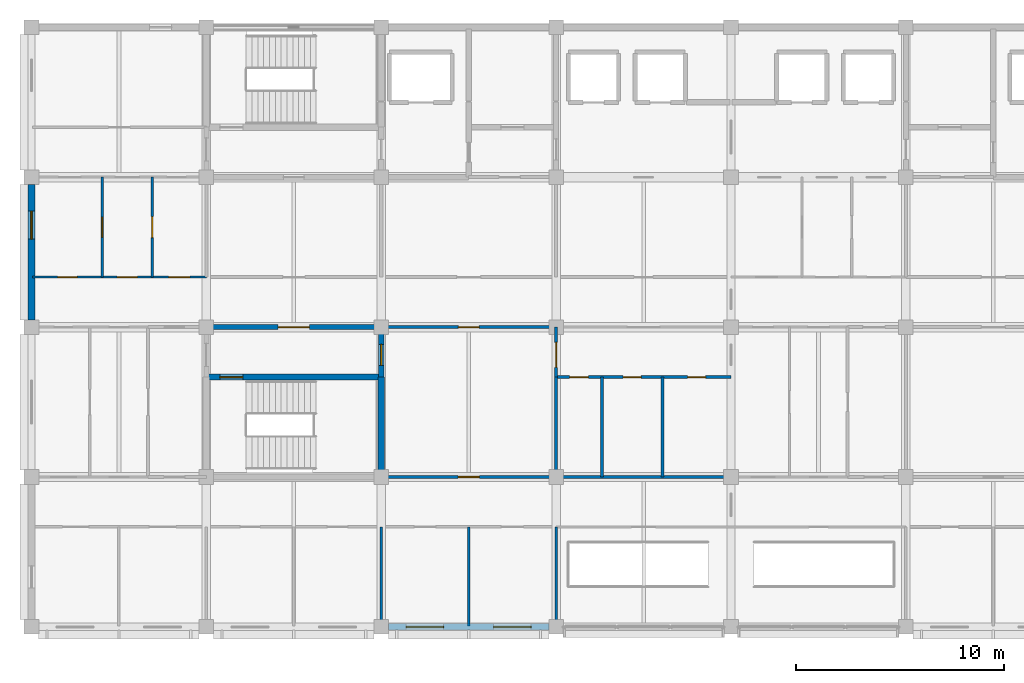
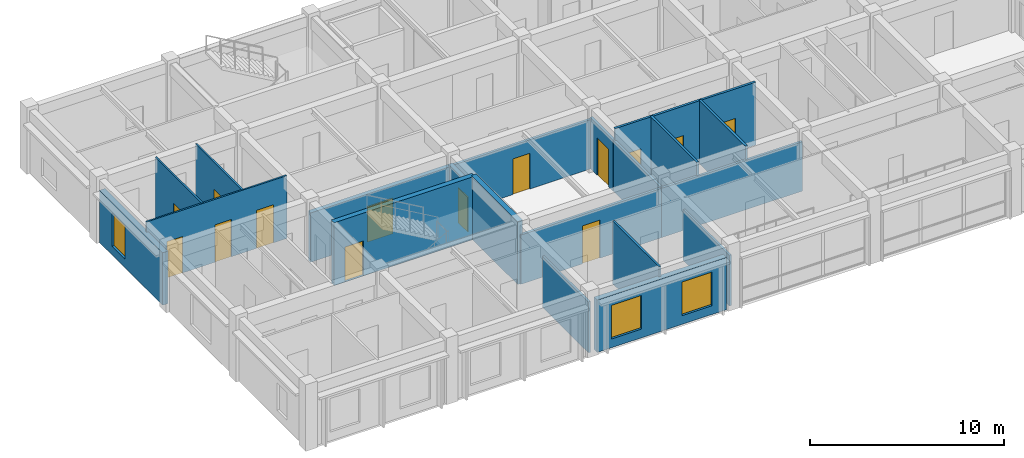
# One storey, part 9 of 17: 20 walls, 14 doors, 3 windows, 17 openings.
"""IFC4 building model written with IfcOpenShell, lengths in metres."""

import ifcopenshell
import ifcopenshell.guid

model = None  # the IFC model being written
_history = None  # IfcOwnerHistory: only IFC2X3 demands one
_inside = {}  # id of a spatial element -> (the spatial element, [elements in it])
_under = {}  # id of a project, library or spatial element -> (it, [spatial elements below it])
_declared = {}  # id of a project -> (the project, [libraries it declares])
_typed = {}  # id of a type object -> (the type object, [elements of that type])
_made_of = {}  # id of a material, layer set ... -> (it, [elements and type objects made of it])


def new_model(schema):
    """Start an empty IFC model of exactly this schema.

    Asked for "IFC4X3", IfcOpenShell would pick the latest addendum, in which some entities
    have other attributes; the version numbers below select the first issue.
    IFC2X3 requires an IfcOwnerHistory on every rooted entity: one is made here for all.
    """
    global model, _history
    if schema == "IFC4X3":
        model = ifcopenshell.file(schema_version=(4, 3, 0, 0))
    else:
        model = ifcopenshell.file(schema=schema)
    _inside.clear()
    _under.clear()
    _declared.clear()
    _typed.clear()
    _made_of.clear()
    _history = None
    if model.schema == "IFC2X3":
        org = make("IfcOrganization", Name="unknown")
        user = make(
            "IfcPersonAndOrganization",
            ThePerson=make("IfcPerson", FamilyName="unknown"),
            TheOrganization=org,
        )
        app = make(
            "IfcApplication",
            ApplicationDeveloper=org,
            Version="unknown",
            ApplicationFullName="unknown",
            ApplicationIdentifier="unknown",
        )
        _history = make(
            "IfcOwnerHistory",
            OwningUser=user,
            OwningApplication=app,
            ChangeAction="ADDED",
            CreationDate=0,
        )
    return model


def make(cls, **values):
    """One entity of the class cls with the attributes given. An attribute that is None is left unset."""
    return model.create_entity(
        cls, **{name: value for name, value in values.items() if value is not None}
    )


def rooted(cls, **values):
    """An entity with a GlobalId (a new one), such as an element, a storey or a relation."""
    return make(cls, GlobalId=ifcopenshell.guid.new(), OwnerHistory=_history, **values)


def si_unit(unit_type, name, prefix=None):
    """IfcSIUnit, for example si_unit("LENGTHUNIT", "METRE", prefix="MILLI")."""
    return make("IfcSIUnit", UnitType=unit_type, Prefix=prefix, Name=name)


def assignment(units):
    """IfcUnitAssignment: the units of a project."""
    return None if units is None else make("IfcUnitAssignment", Units=units)


def point(xyz):
    """IfcCartesianPoint."""
    return None if xyz is None else make("IfcCartesianPoint", Coordinates=xyz)


def direction(xyz):
    """IfcDirection."""
    return None if xyz is None else make("IfcDirection", DirectionRatios=xyz)


def frame(location, z_axis=None, x_axis=None):
    """IfcAxis2Placement3D, a coordinate frame: its origin and axes. An axis left out is left unset."""
    return make(
        "IfcAxis2Placement3D",
        Location=point(location),
        Axis=direction(z_axis),
        RefDirection=direction(x_axis),
    )


def frame_2d(location, x_axis=None):
    """IfcAxis2Placement2D, a coordinate frame in the plane: its origin and x axis."""
    return make(
        "IfcAxis2Placement2D", Location=point(location), RefDirection=direction(x_axis)
    )


def origin():
    """The frame at (0, 0, 0) with its axes left unset."""
    return frame((0.0, 0.0, 0.0))


def place(relative_to, where):
    """IfcLocalPlacement: puts the frame where relative to a parent placement (None: the world)."""
    return make(
        "IfcLocalPlacement", PlacementRelTo=relative_to, RelativePlacement=where
    )


def context(
    kind, dimensions, precision=None, world=None, true_north=None, identifier=None
):
    """IfcGeometricRepresentationContext, for example the 3D "Model" context."""
    return make(
        "IfcGeometricRepresentationContext",
        ContextIdentifier=identifier,
        ContextType=kind,
        CoordinateSpaceDimension=dimensions,
        Precision=precision,
        WorldCoordinateSystem=world,
        TrueNorth=true_north,
    )


def subcontext(parent, identifier, kind, view, scale=None):
    """IfcGeometricRepresentationSubContext, for example "Body" below "Model"."""
    return make(
        "IfcGeometricRepresentationSubContext",
        ContextIdentifier=identifier,
        ContextType=kind,
        ParentContext=parent,
        TargetScale=scale,
        TargetView=view,
    )


def project(units=None, contexts=None):
    """IfcProject with its units and contexts."""
    return rooted(
        "IfcProject",
        Name="project",
        RepresentationContexts=contexts,
        UnitsInContext=assignment(units),
    )


def spatial(cls, under=None, at=None, **own):
    """A site, building, storey or space (cls), placed at a placement, below another one or the project."""
    s = rooted(cls, ObjectPlacement=at, **own)
    if under is not None:
        _under.setdefault(under.id(), (under, []))[1].append(s)
    return s


def profile(cls, at=None, kind="AREA", **sizes):
    """A parametric profile (cls). Its sizes go by their IFC names, for example OverallWidth=200.0."""
    return make(cls, ProfileType=kind, Position=at, **sizes)


def rectangle(**sizes):
    """IfcRectangleProfileDef."""
    return profile("IfcRectangleProfileDef", **sizes)


def extrude(swept, where, along, depth):
    """IfcExtrudedAreaSolid: the profile swept, set in the frame where, extruded along a direction by depth."""
    return make(
        "IfcExtrudedAreaSolid",
        SweptArea=swept,
        Position=where,
        ExtrudedDirection=direction(along),
        Depth=depth,
    )


def shape(context_of_items, identifier, shape_type, items):
    """IfcShapeRepresentation: the items that make up one representation, for example the "Body"."""
    return make(
        "IfcShapeRepresentation",
        ContextOfItems=context_of_items,
        RepresentationIdentifier=identifier,
        RepresentationType=shape_type,
        Items=items,
    )


def material(Name=None, Category=None):
    """IfcMaterial."""
    return make("IfcMaterial", Name=Name, Category=Category)


def layer(
    of_material, thickness, ventilated=None, Name=None, Category=None, Priority=None
):
    """IfcMaterialLayer: one layer of a wall or slab, of a material (None: an air gap)."""
    return make(
        "IfcMaterialLayer",
        Material=of_material,
        LayerThickness=thickness,
        IsVentilated=ventilated,
        Name=Name,
        Category=Category,
        Priority=Priority,
    )


def layer_set(layers, Name=None):
    """IfcMaterialLayerSet."""
    return make("IfcMaterialLayerSet", MaterialLayers=layers, LayerSetName=Name)


def made_of(thing, what):
    """Note that an element or type object is made of a material, layer set ...; save() writes the relation."""
    if what is not None:
        _made_of.setdefault(what.id(), (what, []))[1].append(thing)
    return thing


def type_object(cls, material=None, **own):
    """A type object (cls), such as IfcWallType, which elements share."""
    return made_of(rooted(cls, **own), material)


def element(
    cls,
    number,
    at=None,
    inside=None,
    cuts=None,
    type_object=None,
    material=None,
    context=None,
    identifier="Body",
    shape_type=None,
    held_by="IfcProductDefinitionShape",
    body=None,
    shapes=None,
    **own,
):
    """One element of the class cls, such as IfcWall. Its Tag is "e" and its number.

    at: its placement. inside: the storey or other place that contains it. cuts: it is an
    opening in that element (IfcRelVoidsElement). A single representation is given by context,
    identifier, shape_type and body (its items); several are given by shapes. held_by: the class
    of the entity that holds the representations. save() writes the other relations.
    """
    e = rooted(cls, Tag="e%d" % number, ObjectPlacement=at, **own)
    if body is not None:
        shapes = [shape(context, identifier, shape_type, body)]
    if shapes is not None:
        e.Representation = make(held_by, Representations=shapes)
    if inside is not None:
        _inside.setdefault(inside.id(), (inside, []))[1].append(e)
    if cuts is not None:
        rooted(
            "IfcRelVoidsElement", RelatingBuildingElement=cuts, RelatedOpeningElement=e
        )
    if type_object is not None:
        _typed.setdefault(type_object.id(), (type_object, []))[1].append(e)
    return made_of(e, material)


def fill(opening, filler):
    """IfcRelFillsElement: the door or window that sits in an opening."""
    return rooted(
        "IfcRelFillsElement",
        RelatingOpeningElement=opening,
        RelatedBuildingElement=filler,
    )


def aggregate(whole, parts):
    """IfcRelAggregates: a whole, such as a stair, and the parts it consists of."""
    return rooted("IfcRelAggregates", RelatingObject=whole, RelatedObjects=parts)


def save(model, path):
    """Write the relations noted so far, then the file.

    IfcRelAggregates (storeys below a building ...), IfcRelContainedInSpatialStructure (elements
    in a storey), IfcRelDefinesByType, IfcRelAssociatesMaterial and IfcRelDeclares: one each for
    every whole, place, type object, material and project.
    """
    for whole, parts in _under.values():
        aggregate(whole, parts)
    for where, things in _inside.values():
        rooted(
            "IfcRelContainedInSpatialStructure",
            RelatedElements=things,
            RelatingStructure=where,
        )
    for kind, things in _typed.values():
        rooted("IfcRelDefinesByType", RelatedObjects=things, RelatingType=kind)
    for what, things in _made_of.values():
        rooted("IfcRelAssociatesMaterial", RelatedObjects=things, RelatingMaterial=what)
    for by, libraries in _declared.values():
        rooted("IfcRelDeclares", RelatingContext=by, RelatedDefinitions=libraries)
    model.write(path)


model = new_model("IFC4")

# Units and contexts
model_context = context("Model", 3, precision=1e-05, world=origin(), true_north=direction((0.0, 1.0)))
body_context = subcontext(model_context, "Body", "Model", "MODEL_VIEW")
ifc_project = project(units=[si_unit("LENGTHUNIT", "METRE"), si_unit("AREAUNIT", "SQUARE_METRE"), si_unit("VOLUMEUNIT", "CUBIC_METRE"), si_unit("PLANEANGLEUNIT", "RADIAN"), si_unit("MASSUNIT", "GRAM", prefix="KILO")], contexts=[model_context])

# Site, building, storey
site_placement = place(None, origin())
site = spatial("IfcSite", under=ifc_project, at=site_placement, CompositionType="ELEMENT")
building_placement = place(site_placement, origin())
building = spatial("IfcBuilding", under=site, at=building_placement, Name="Chengyuan Square Courthouse", CompositionType="ELEMENT")
storey_placement = place(building_placement, frame((0.0, 0.0, 51.89990234375)))
storey = spatial("IfcBuildingStorey", under=building, at=storey_placement, Name="L12", CompositionType="ELEMENT", Elevation=51.89990234375)

# Wall, opening, window
ifc_material_1 = material(Name="Concrete C40", Category="concrete")
ifc_layer_1 = layer(ifc_material_1, 0.320068359375)
ifc_layer_set_1 = layer_set([ifc_layer_1], Name="Concrete C40")
wall_type_1 = type_object("IfcWallType", Name="WL-EW3", PredefinedType="STANDARD", material=ifc_layer_set_1)
wall_1_placement = place(storey_placement, frame((50.39990234375, 93.945068359375, 0.0), z_axis=(0.0, 0.0, 1.0), x_axis=(0.0, 1.0, 0.0)))
wall_1 = element("IfcWall", 1, at=wall_1_placement, inside=storey, type_object=wall_type_1, Name="Exterior Wall WL-L12-E469", PredefinedType="STANDARD", context=body_context, shape_type="SweptSolid", body=[
    extrude(rectangle(XDim=6.510009765625, YDim=0.320068359375, at=frame_2d((3.2548828125, 0.0))), origin(), (0.0, 0.0, 1.0), 3.31005859375),
])
opening_1_placement = place(wall_1_placement, frame((3.8798828125, 0.0, 0.550048828125)))
opening_1 = element("IfcOpeningElement", 2, at=opening_1_placement, cuts=wall_1, Name="Opening WN-202", PredefinedType="OPENING", context=body_context, shape_type="SweptSolid", body=[
    extrude(rectangle(XDim=1.35009765625, YDim=2.1201171875, at=frame_2d((0.675048828125, 1.06005859375))), frame((0.0, 0.172119140625, 0.0), z_axis=(0.0, -1.0, 0.0), x_axis=(1.0, 0.0, 0.0)), (0.0, 0.0, 1.0), 0.343994140625),
])
ifc_material_2 = material(Name="Thermally Broken Aluminium Triple Low-E Window", Category="aluminium")
window_type_1 = type_object("IfcWindowType", Name="WT-24", PartitioningType="SINGLE_PANEL", PredefinedType="WINDOW", material=ifc_material_2)
window_1_placement = place(opening_1_placement, origin())
window_1 = element("IfcWindow", 3, at=window_1_placement, inside=storey, type_object=window_type_1, Name="Facade Window WN-202", OverallHeight=2.1201171875, OverallWidth=1.35009765625, PartitioningType="SINGLE_PANEL", PredefinedType="WINDOW", context=body_context, shape_type="SweptSolid", body=[
    extrude(rectangle(XDim=1.35009765625, YDim=2.1201171875, at=frame_2d((0.675048828125, 1.06005859375))), frame((0.0, 0.030029296875, 0.0), z_axis=(0.0, -1.0, 0.0), x_axis=(1.0, 0.0, 0.0)), (0.0, 0.0, 1.0), 0.06005859375),
])
fill(opening_1, window_1)

# Wall, openings, windows
wall_2_placement = place(storey_placement, frame((67.544921875, 79.199951171875, 0.0), z_axis=(0.0, 0.0, 1.0), x_axis=(1.0, 0.0, 0.0)))
wall_2 = element("IfcWall", 4, at=wall_2_placement, inside=storey, type_object=wall_type_1, Name="Exterior Wall WL-L12-E474", PredefinedType="STANDARD", context=body_context, shape_type="SweptSolid", body=[
    extrude(rectangle(XDim=7.7099609375, YDim=0.320068359375, at=frame_2d((3.85498046875, 0.0))), origin(), (0.0, 0.0, 1.0), 3.31005859375),
])
opening_2_placement = place(wall_2_placement, frame((0.85498046875, 0.0, 0.550048828125)))
opening_2 = element("IfcOpeningElement", 5, at=opening_2_placement, cuts=wall_2, Name="Opening WN-207", PredefinedType="OPENING", context=body_context, shape_type="SweptSolid", body=[
    extrude(rectangle(XDim=1.800048828125, YDim=2.1201171875, at=frame_2d((0.89990234375, 1.06005859375))), frame((0.0, 0.172119140625, 0.0), z_axis=(0.0, -1.0, 0.0), x_axis=(1.0, 0.0, 0.0)), (0.0, 0.0, 1.0), 0.343994140625),
])
opening_3_placement = place(wall_2_placement, frame((5.054931640625, 0.0, 0.550048828125)))
opening_3 = element("IfcOpeningElement", 6, at=opening_3_placement, cuts=wall_2, Name="Opening WN-208", PredefinedType="OPENING", context=body_context, shape_type="SweptSolid", body=[
    extrude(rectangle(XDim=1.800048828125, YDim=2.1201171875, at=frame_2d((0.89990234375, 1.06005859375))), frame((0.0, 0.172119140625, 0.0), z_axis=(0.0, -1.0, 0.0), x_axis=(1.0, 0.0, 0.0)), (0.0, 0.0, 1.0), 0.343994140625),
])
window_type_2 = type_object("IfcWindowType", Name="WT-36", PartitioningType="SINGLE_PANEL", PredefinedType="WINDOW", material=ifc_material_2)
window_2_placement = place(opening_2_placement, origin())
window_2 = element("IfcWindow", 7, at=window_2_placement, inside=storey, type_object=window_type_2, Name="Facade Window WN-207", OverallHeight=2.1201171875, OverallWidth=1.800048828125, PartitioningType="SINGLE_PANEL", PredefinedType="WINDOW", context=body_context, shape_type="SweptSolid", body=[
    extrude(rectangle(XDim=1.800048828125, YDim=2.1201171875, at=frame_2d((0.89990234375, 1.06005859375))), frame((0.0, 0.030029296875, 0.0), z_axis=(0.0, -1.0, 0.0), x_axis=(1.0, 0.0, 0.0)), (0.0, 0.0, 1.0), 0.06005859375),
])
fill(opening_2, window_2)
window_3_placement = place(opening_3_placement, origin())
window_3 = element("IfcWindow", 8, at=window_3_placement, inside=storey, type_object=window_type_2, Name="Facade Window WN-208", OverallHeight=2.1201171875, OverallWidth=1.800048828125, PartitioningType="SINGLE_PANEL", PredefinedType="WINDOW", context=body_context, shape_type="SweptSolid", body=[
    extrude(rectangle(XDim=1.800048828125, YDim=2.1201171875, at=frame_2d((0.89990234375, 1.06005859375))), frame((0.0, 0.030029296875, 0.0), z_axis=(0.0, -1.0, 0.0), x_axis=(1.0, 0.0, 0.0)), (0.0, 0.0, 1.0), 0.06005859375),
])
fill(opening_3, window_3)

# Wall, opening, door
ifc_layer_2 = layer(ifc_material_1, 0.25)
ifc_layer_set_2 = layer_set([ifc_layer_2], Name="Concrete C40")
wall_type_2 = type_object("IfcWallType", Name="WL-FW1", PredefinedType="STANDARD", material=ifc_layer_set_2)
wall_3_placement = place(storey_placement, frame((58.800048828125, 93.60009765625, 0.0), z_axis=(0.0, 0.0, 1.0), x_axis=(1.0, 0.0, 0.0)))
wall_3 = element("IfcWall", 9, at=wall_3_placement, inside=storey, type_object=wall_type_2, Name="Interior Wall WL-L12-I3655", PredefinedType="STANDARD", context=body_context, shape_type="SweptSolid", body=[
    extrude(rectangle(XDim=8.39990234375, YDim=0.25, at=frame_2d((4.199951171875, 0.0))), origin(), (0.0, 0.0, 1.0), 3.110107421875),
])
opening_4_placement = place(wall_3_placement, frame((3.449951171875, 0.0, 0.0)))
opening_4 = element("IfcOpeningElement", 10, at=opening_4_placement, cuts=wall_3, Name="Opening DR-3026", PredefinedType="OPENING", context=body_context, shape_type="SweptSolid", body=[
    extrude(rectangle(XDim=1.5, YDim=2.25, at=frame_2d((0.75, 1.125))), frame((0.0, 0.136962890625, 0.0), z_axis=(0.0, -1.0, 0.0), x_axis=(1.0, 0.0, 0.0)), (0.0, 0.0, 1.0), 0.27392578125),
])
ifc_material_3 = material(Name="Steel Q235B Glazed Fire Door", Category="steel")
door_type_1 = type_object("IfcDoorType", Name="DT-19", OperationType="DOUBLE_DOOR_SINGLE_SWING", PredefinedType="DOOR", material=ifc_material_3)
door_1_placement = place(opening_4_placement, frame((1.5, 0.0, 0.0), z_axis=(0.0, 0.0, 1.0), x_axis=(-1.0, 0.0, 0.0)))
door_1 = element("IfcDoor", 11, at=door_1_placement, inside=storey, type_object=door_type_1, Name="Interior Door DR-3026", OperationType="DOUBLE_DOOR_SINGLE_SWING", OverallHeight=2.25, OverallWidth=1.5, PredefinedType="DOOR", context=body_context, shape_type="SweptSolid", body=[
    extrude(rectangle(XDim=1.5, YDim=2.25, at=frame_2d((0.75, 1.125))), frame((0.0, 0.02490234375, 0.0), z_axis=(0.0, -1.0, 0.0), x_axis=(1.0, 0.0, 0.0)), (0.0, 0.0, 1.0), 0.050048828125),
])
fill(opening_4, door_1)

wall_4_placement = place(storey_placement, frame((67.199951171875, 91.199951171875, 0.0), z_axis=(0.0, 0.0, 1.0), x_axis=(0.0, 1.0, 0.0)))
wall_4 = element("IfcWall", 12, at=wall_4_placement, inside=storey, type_object=wall_type_2, Name="Interior Wall WL-L12-I3708", PredefinedType="STANDARD", context=body_context, shape_type="SweptSolid", body=[
    extrude(rectangle(XDim=2.400146484375, YDim=0.25, at=frame_2d((1.2001953125, 0.0))), origin(), (0.0, 0.0, 1.0), 3.210205078125),
])
opening_5_placement = place(wall_4_placement, frame((0.56494140625, 0.0, 0.0)))
opening_5 = element("IfcOpeningElement", 13, at=opening_5_placement, cuts=wall_4, Name="Opening DR-3028", PredefinedType="OPENING", context=body_context, shape_type="SweptSolid", body=[
    extrude(rectangle(XDim=1.0, YDim=2.199951171875, at=frame_2d((0.5, 1.10009765625))), frame((0.0, 0.136962890625, 0.0), z_axis=(0.0, -1.0, 0.0), x_axis=(1.0, 0.0, 0.0)), (0.0, 0.0, 1.0), 0.27392578125),
])
ifc_material_4 = material(Name="Steel Q235B Fire Door", Category="steel")
door_type_2 = type_object("IfcDoorType", Name="DT-11", OperationType="NOTDEFINED", PredefinedType="DOOR", material=ifc_material_4)
door_2_placement = place(opening_5_placement, origin())
door_2 = element("IfcDoor", 14, at=door_2_placement, inside=storey, type_object=door_type_2, Name="Interior Door DR-3028", OperationType="SINGLE_SWING_RIGHT", OverallHeight=2.199951171875, OverallWidth=1.0, PredefinedType="DOOR", context=body_context, shape_type="SweptSolid", body=[
    extrude(rectangle(XDim=1.0, YDim=2.199951171875, at=frame_2d((0.5, 1.10009765625))), frame((0.0, 0.02490234375, 0.0), z_axis=(0.0, -1.0, 0.0), x_axis=(1.0, 0.0, 0.0)), (0.0, 0.0, 1.0), 0.050048828125),
])
fill(opening_5, door_2)

ifc_material_5 = material(Name="Deliberation Room Sound-Insulated Partition")
ifc_layer_3 = layer(ifc_material_5, 0.14990234375)
ifc_layer_set_3 = layer_set([ifc_layer_3], Name="Deliberation Room Sound-Insulated Partition")
wall_type_3 = type_object("IfcWallType", Name="WL-PT3", PredefinedType="STANDARD", material=ifc_layer_set_3)
wall_5_placement = place(storey_placement, frame((67.199951171875, 86.39990234375, 0.0), z_axis=(0.0, 0.0, 1.0), x_axis=(1.0, 0.0, 0.0)))
wall_5 = element("IfcWall", 15, at=wall_5_placement, inside=storey, type_object=wall_type_3, Name="Interior Wall WL-L12-I3643", PredefinedType="STANDARD", context=body_context, shape_type="SweptSolid", body=[
    extrude(rectangle(XDim=8.400146484375, YDim=0.14990234375, at=frame_2d((4.2001953125, 0.0))), origin(), (0.0, 0.0, 1.0), 3.110107421875),
])
opening_6_placement = place(wall_5_placement, frame((3.68994140625, 0.0, 0.0)))
opening_6 = element("IfcOpeningElement", 16, at=opening_6_placement, cuts=wall_5, Name="Opening DR-3096", PredefinedType="OPENING", context=body_context, shape_type="SweptSolid", body=[
    extrude(rectangle(XDim=1.02001953125, YDim=2.39990234375, at=frame_2d((0.510009765625, 1.199951171875))), frame((0.0, 0.0869140625, 0.0), z_axis=(0.0, -1.0, 0.0), x_axis=(1.0, 0.0, 0.0)), (0.0, 0.0, 1.0), 0.173828125),
])
ifc_material_6 = material(Name="Acoustic Solid-Core Timber Door", Category="wood")
door_type_3 = type_object("IfcDoorType", Name="DT-41", OperationType="NOTDEFINED", PredefinedType="DOOR", material=ifc_material_6)
door_3_placement = place(opening_6_placement, origin())
door_3 = element("IfcDoor", 17, at=door_3_placement, inside=storey, type_object=door_type_3, Name="Interior Door DR-3096", OperationType="SINGLE_SWING_LEFT", OverallHeight=2.39990234375, OverallWidth=1.02001953125, PredefinedType="DOOR", context=body_context, shape_type="SweptSolid", body=[
    extrude(rectangle(XDim=1.02001953125, YDim=2.39990234375, at=frame_2d((0.510009765625, 1.199951171875))), frame((0.0, 0.02490234375, 0.0), z_axis=(0.0, -1.0, 0.0), x_axis=(1.0, 0.0, 0.0)), (0.0, 0.0, 1.0), 0.050048828125),
])
fill(opening_6, door_3)

wall_6_placement = place(storey_placement, frame((67.199951171875, 93.60009765625, 0.0), z_axis=(0.0, 0.0, 1.0), x_axis=(1.0, 0.0, 0.0)))
wall_6 = element("IfcWall", 18, at=wall_6_placement, inside=storey, type_object=wall_type_3, Name="Interior Wall WL-L12-I3656", PredefinedType="STANDARD", context=body_context, shape_type="SweptSolid", body=[
    extrude(rectangle(XDim=8.400146484375, YDim=0.14990234375, at=frame_2d((4.2001953125, 0.0))), origin(), (0.0, 0.0, 1.0), 3.110107421875),
])
opening_7_placement = place(wall_6_placement, frame((3.699951171875, 0.0, 0.0)))
opening_7 = element("IfcOpeningElement", 19, at=opening_7_placement, cuts=wall_6, Name="Opening DR-3069", PredefinedType="OPENING", context=body_context, shape_type="SweptSolid", body=[
    extrude(rectangle(XDim=1.0, YDim=2.25, at=frame_2d((0.5, 1.125))), frame((0.0, 0.0869140625, 0.0), z_axis=(0.0, -1.0, 0.0), x_axis=(1.0, 0.0, 0.0)), (0.0, 0.0, 1.0), 0.173828125),
])
door_type_4 = type_object("IfcDoorType", Name="DT-31", OperationType="NOTDEFINED", PredefinedType="DOOR", material=ifc_material_6)
door_4_placement = place(opening_7_placement, origin())
door_4 = element("IfcDoor", 20, at=door_4_placement, inside=storey, type_object=door_type_4, Name="Interior Door DR-3069", OperationType="SINGLE_SWING_RIGHT", OverallHeight=2.25, OverallWidth=1.0, PredefinedType="DOOR", context=body_context, shape_type="SweptSolid", body=[
    extrude(rectangle(XDim=1.0, YDim=2.25, at=frame_2d((0.5, 1.125))), frame((0.0, 0.02490234375, 0.0), z_axis=(0.0, -1.0, 0.0), x_axis=(1.0, 0.0, 0.0)), (0.0, 0.0, 1.0), 0.050048828125),
])
fill(opening_7, door_4)

wall_7_placement = place(storey_placement, frame((75.60009765625, 91.199951171875, 0.0), z_axis=(0.0, 0.0, 1.0), x_axis=(0.0, 1.0, 0.0)))
wall_7 = element("IfcWall", 21, at=wall_7_placement, inside=storey, type_object=wall_type_3, Name="Interior Wall WL-L12-I3720", PredefinedType="STANDARD", context=body_context, shape_type="SweptSolid", body=[
    extrude(rectangle(XDim=2.400146484375, YDim=0.14990234375, at=frame_2d((1.2001953125, 0.0))), origin(), (0.0, 0.0, 1.0), 3.210205078125),
])
opening_8_placement = place(wall_7_placement, frame((0.465087890625, 0.0, 0.0)))
opening_8 = element("IfcOpeningElement", 22, at=opening_8_placement, cuts=wall_7, Name="Opening DR-3057", PredefinedType="OPENING", context=body_context, shape_type="SweptSolid", body=[
    extrude(rectangle(XDim=1.199951171875, YDim=2.35009765625, at=frame_2d((0.60009765625, 1.175048828125))), frame((0.0, 0.0869140625, 0.0), z_axis=(0.0, -1.0, 0.0), x_axis=(1.0, 0.0, 0.0)), (0.0, 0.0, 1.0), 0.173828125),
])
door_type_5 = type_object("IfcDoorType", Name="DT-36", OperationType="NOTDEFINED", PredefinedType="DOOR", material=ifc_material_6)
door_5_placement = place(opening_8_placement, origin())
door_5 = element("IfcDoor", 23, at=door_5_placement, inside=storey, type_object=door_type_5, Name="Interior Door DR-3057", OperationType="SINGLE_SWING_RIGHT", OverallHeight=2.35009765625, OverallWidth=1.199951171875, PredefinedType="DOOR", context=body_context, shape_type="SweptSolid", body=[
    extrude(rectangle(XDim=1.199951171875, YDim=2.35009765625, at=frame_2d((0.60009765625, 1.175048828125))), frame((0.0, 0.02490234375, 0.0), z_axis=(0.0, -1.0, 0.0), x_axis=(1.0, 0.0, 0.0)), (0.0, 0.0, 1.0), 0.050048828125),
])
fill(opening_8, door_5)

# Wall
ifc_material_7 = material(Name="Moisture-Resistant Masonry Wet-Room Partition", Category="masonry")
ifc_layer_4 = layer(ifc_material_7, 0.139892578125)
ifc_layer_set_4 = layer_set([ifc_layer_4], Name="Moisture-Resistant Masonry Wet-Room Partition")
wall_type_4 = type_object("IfcWallType", Name="WL-PT4", PredefinedType="STANDARD", material=ifc_layer_set_4)
wall_8_placement = place(storey_placement, frame((75.60009765625, 86.39990234375, 0.0), z_axis=(0.0, 0.0, 1.0), x_axis=(1.0, 0.0, 0.0)))
element("IfcWall", 24, at=wall_8_placement, inside=storey, type_object=wall_type_4, Name="Interior Wall WL-L12-I3644", PredefinedType="STANDARD", context=body_context, shape_type="SweptSolid", body=[
    extrude(rectangle(XDim=8.39990234375, YDim=0.139892578125, at=frame_2d((4.199951171875, 0.0))), origin(), (0.0, 0.0, 1.0), 3.110107421875),
])

# Wall, openings, doors
wall_9_placement = place(storey_placement, frame((75.60009765625, 91.199951171875, 0.0), z_axis=(0.0, 0.0, 1.0), x_axis=(1.0, 0.0, 0.0)))
wall_9 = element("IfcWall", 25, at=wall_9_placement, inside=storey, type_object=wall_type_4, Name="Interior Wall WL-L12-I3651", PredefinedType="STANDARD", context=body_context, shape_type="SweptSolid", body=[
    extrude(rectangle(XDim=8.39990234375, YDim=0.139892578125, at=frame_2d((4.199951171875, 0.0))), origin(), (0.0, 0.0, 1.0), 3.960205078125),
])
opening_9_placement = place(wall_9_placement, frame((0.64990234375, 0.0, 0.0)))
opening_9 = element("IfcOpeningElement", 26, at=opening_9_placement, cuts=wall_9, Name="Opening DR-3053", PredefinedType="OPENING", context=body_context, shape_type="SweptSolid", body=[
    extrude(rectangle(XDim=0.89990234375, YDim=2.14990234375, at=frame_2d((0.449951171875, 1.074951171875))), frame((0.0, 0.08203125, 0.0), z_axis=(0.0, -1.0, 0.0), x_axis=(1.0, 0.0, 0.0)), (0.0, 0.0, 1.0), 0.163818359375),
])
opening_10_placement = place(wall_9_placement, frame((3.219970703125, 0.0, 0.0)))
opening_10 = element("IfcOpeningElement", 27, at=opening_10_placement, cuts=wall_9, Name="Opening DR-3054", PredefinedType="OPENING", context=body_context, shape_type="SweptSolid", body=[
    extrude(rectangle(XDim=0.860107421875, YDim=2.10009765625, at=frame_2d((0.43017578125, 1.050048828125))), frame((0.0, 0.08203125, 0.0), z_axis=(0.0, -1.0, 0.0), x_axis=(1.0, 0.0, 0.0)), (0.0, 0.0, 1.0), 0.163818359375),
])
opening_11_placement = place(wall_9_placement, frame((6.320068359375, 0.0, 0.0)))
opening_11 = element("IfcOpeningElement", 28, at=opening_11_placement, cuts=wall_9, Name="Opening DR-3055", PredefinedType="OPENING", context=body_context, shape_type="SweptSolid", body=[
    extrude(rectangle(XDim=0.860107421875, YDim=2.10009765625, at=frame_2d((0.43017578125, 1.050048828125))), frame((0.0, 0.08203125, 0.0), z_axis=(0.0, -1.0, 0.0), x_axis=(1.0, 0.0, 0.0)), (0.0, 0.0, 1.0), 0.163818359375),
])
door_type_6 = type_object("IfcDoorType", Name="DT-27", OperationType="NOTDEFINED", PredefinedType="DOOR", material=ifc_material_6)
door_6_placement = place(opening_9_placement, origin())
door_6 = element("IfcDoor", 29, at=door_6_placement, inside=storey, type_object=door_type_6, Name="Interior Door DR-3053", OperationType="SINGLE_SWING_LEFT", OverallHeight=2.14990234375, OverallWidth=0.89990234375, PredefinedType="DOOR", context=body_context, shape_type="SweptSolid", body=[
    extrude(rectangle(XDim=0.89990234375, YDim=2.14990234375, at=frame_2d((0.449951171875, 1.074951171875))), frame((0.0, 0.02490234375, 0.0), z_axis=(0.0, -1.0, 0.0), x_axis=(1.0, 0.0, 0.0)), (0.0, 0.0, 1.0), 0.050048828125),
])
fill(opening_9, door_6)
door_type_7 = type_object("IfcDoorType", Name="DT-28", OperationType="NOTDEFINED", PredefinedType="DOOR", material=ifc_material_6)
door_7_placement = place(opening_10_placement, origin())
door_7 = element("IfcDoor", 30, at=door_7_placement, inside=storey, type_object=door_type_7, Name="Interior Door DR-3054", OperationType="SINGLE_SWING_RIGHT", OverallHeight=2.10009765625, OverallWidth=0.860107421875, PredefinedType="DOOR", context=body_context, shape_type="SweptSolid", body=[
    extrude(rectangle(XDim=0.860107421875, YDim=2.10009765625, at=frame_2d((0.43017578125, 1.050048828125))), frame((0.0, 0.02490234375, 0.0), z_axis=(0.0, -1.0, 0.0), x_axis=(1.0, 0.0, 0.0)), (0.0, 0.0, 1.0), 0.050048828125),
])
fill(opening_10, door_7)
door_8_placement = place(opening_11_placement, origin())
door_8 = element("IfcDoor", 31, at=door_8_placement, inside=storey, type_object=door_type_7, Name="Interior Door DR-3055", OperationType="SINGLE_SWING_LEFT", OverallHeight=2.10009765625, OverallWidth=0.860107421875, PredefinedType="DOOR", context=body_context, shape_type="SweptSolid", body=[
    extrude(rectangle(XDim=0.860107421875, YDim=2.10009765625, at=frame_2d((0.43017578125, 1.050048828125))), frame((0.0, 0.02490234375, 0.0), z_axis=(0.0, -1.0, 0.0), x_axis=(1.0, 0.0, 0.0)), (0.0, 0.0, 1.0), 0.050048828125),
])
fill(opening_11, door_8)

# Walls
wall_10_placement = place(storey_placement, frame((75.60009765625, 86.39990234375, 0.0), z_axis=(0.0, 0.0, 1.0), x_axis=(0.0, 1.0, 0.0)))
element("IfcWall", 32, at=wall_10_placement, inside=storey, type_object=wall_type_4, Name="Interior Wall WL-L12-I3719", PredefinedType="STANDARD", context=body_context, shape_type="SweptSolid", body=[
    extrude(rectangle(XDim=4.800048828125, YDim=0.139892578125, at=frame_2d((2.39990234375, 0.0))), origin(), (0.0, 0.0, 1.0), 3.210205078125),
])
for number, where, z_axis, x_axis, name in (
    (33, (77.800048828125, 86.39990234375, 0.0), (0.0, 0.0, 1.0), (0.0, 1.0, 0.0), "Interior Wall WL-L12-I3725"),
    (34, (80.699951171875, 86.39990234375, 0.0), (0.0, 0.0, 1.0), (0.0, 1.0, 0.0), "Interior Wall WL-L12-I3728"),
):
    element("IfcWall", number, at=place(storey_placement, frame(where, z_axis=z_axis, x_axis=x_axis)), inside=storey, type_object=wall_type_4, Name=name, PredefinedType="STANDARD", context=body_context, shape_type="SweptSolid", body=[
        extrude(rectangle(XDim=4.800048828125, YDim=0.139892578125, at=frame_2d((2.39990234375, 0.0))), origin(), (0.0, 0.0, 1.0), 3.960205078125),
    ])
ifc_material_8 = material(Name="Judges Chambers Gypsum Stud Partition")
ifc_layer_5 = layer(ifc_material_8, 0.1201171875)
ifc_layer_set_5 = layer_set([ifc_layer_5], Name="Judges Chambers Gypsum Stud Partition")
wall_type_5 = type_object("IfcWallType", Name="WL-PT5", PredefinedType="STANDARD", material=ifc_layer_set_5)
wall_11_placement = place(storey_placement, frame((67.199951171875, 79.239990234375, 0.0), z_axis=(0.0, 0.0, 1.0), x_axis=(0.0, 1.0, 0.0)))
element("IfcWall", 35, at=wall_11_placement, inside=storey, type_object=wall_type_5, Name="Interior Wall WL-L12-I3706", PredefinedType="STANDARD", context=body_context, shape_type="SweptSolid", body=[
    extrude(rectangle(XDim=4.760009765625, YDim=0.1201171875, at=frame_2d((2.3798828125, 0.0))), origin(), (0.0, 0.0, 1.0), 3.210205078125),
])
wall_12_placement = place(storey_placement, frame((71.39990234375, 79.239990234375, 0.0), z_axis=(0.0, 0.0, 1.0), x_axis=(0.0, 1.0, 0.0)))
element("IfcWall", 36, at=wall_12_placement, inside=storey, type_object=wall_type_5, Name="Interior Wall WL-L12-I3715", PredefinedType="STANDARD", context=body_context, shape_type="SweptSolid", body=[
    extrude(rectangle(XDim=4.760009765625, YDim=0.1201171875, at=frame_2d((2.3798828125, 0.0))), origin(), (0.0, 0.0, 1.0), 3.960205078125),
])
wall_13_placement = place(storey_placement, frame((75.60009765625, 79.239990234375, 0.0), z_axis=(0.0, 0.0, 1.0), x_axis=(0.0, 1.0, 0.0)))
element("IfcWall", 37, at=wall_13_placement, inside=storey, type_object=wall_type_5, Name="Interior Wall WL-L12-I3718", PredefinedType="STANDARD", context=body_context, shape_type="SweptSolid", body=[
    extrude(rectangle(XDim=4.760009765625, YDim=0.1201171875, at=frame_2d((2.3798828125, 0.0))), origin(), (0.0, 0.0, 1.0), 3.210205078125),
])

# Wall, openings, doors
ifc_material_9 = material(Name="Gypsum Plasterboard Acoustic Stud Partition")
ifc_layer_6 = layer(ifc_material_9, 0.10009765625)
ifc_layer_set_6 = layer_set([ifc_layer_6], Name="Gypsum Plasterboard Acoustic Stud Partition")
wall_type_6 = type_object("IfcWallType", Name="WL-PT6", PredefinedType="STANDARD", material=ifc_layer_set_6)
wall_14_placement = place(storey_placement, frame((50.43994140625, 96.0, 0.0), z_axis=(0.0, 0.0, 1.0), x_axis=(1.0, 0.0, 0.0)))
wall_14 = element("IfcWall", 38, at=wall_14_placement, inside=storey, type_object=wall_type_6, Name="Interior Wall WL-L12-I3662", PredefinedType="STANDARD", context=body_context, shape_type="SweptSolid", body=[
    extrude(rectangle(XDim=8.360107421875, YDim=0.10009765625, at=frame_2d((4.18017578125, 0.0))), origin(), (0.0, 0.0, 1.0), 3.960205078125),
])
opening_12_placement = place(wall_14_placement, frame((1.2099609375, 0.0, 0.0)))
opening_12 = element("IfcOpeningElement", 39, at=opening_12_placement, cuts=wall_14, Name="Opening DR-3060", PredefinedType="OPENING", context=body_context, shape_type="SweptSolid", body=[
    extrude(rectangle(XDim=0.93994140625, YDim=2.300048828125, at=frame_2d((0.469970703125, 1.14990234375))), frame((0.0, 0.06201171875, 0.0), z_axis=(0.0, -1.0, 0.0), x_axis=(1.0, 0.0, 0.0)), (0.0, 0.0, 1.0), 0.1240234375),
])
opening_13_placement = place(wall_14_placement, frame((4.070068359375, 0.0, 0.0)))
opening_13 = element("IfcOpeningElement", 40, at=opening_13_placement, cuts=wall_14, Name="Opening DR-3061", PredefinedType="OPENING", context=body_context, shape_type="SweptSolid", body=[
    extrude(rectangle(XDim=0.97998046875, YDim=2.35009765625, at=frame_2d((0.489990234375, 1.175048828125))), frame((0.0, 0.06201171875, 0.0), z_axis=(0.0, -1.0, 0.0), x_axis=(1.0, 0.0, 0.0)), (0.0, 0.0, 1.0), 0.1240234375),
])
opening_14_placement = place(wall_14_placement, frame((6.550048828125, 0.0, 0.0)))
opening_14 = element("IfcOpeningElement", 41, at=opening_14_placement, cuts=wall_14, Name="Opening DR-3062", PredefinedType="OPENING", context=body_context, shape_type="SweptSolid", body=[
    extrude(rectangle(XDim=1.02001953125, YDim=2.39990234375, at=frame_2d((0.510009765625, 1.199951171875))), frame((0.0, 0.06201171875, 0.0), z_axis=(0.0, -1.0, 0.0), x_axis=(1.0, 0.0, 0.0)), (0.0, 0.0, 1.0), 0.1240234375),
])
door_type_8 = type_object("IfcDoorType", Name="DT-39", OperationType="NOTDEFINED", PredefinedType="DOOR", material=ifc_material_6)
door_9_placement = place(opening_12_placement, origin())
door_9 = element("IfcDoor", 42, at=door_9_placement, inside=storey, type_object=door_type_8, Name="Interior Door DR-3060", OperationType="SINGLE_SWING_LEFT", OverallHeight=2.300048828125, OverallWidth=0.93994140625, PredefinedType="DOOR", context=body_context, shape_type="SweptSolid", body=[
    extrude(rectangle(XDim=0.93994140625, YDim=2.300048828125, at=frame_2d((0.469970703125, 1.14990234375))), frame((0.0, 0.02490234375, 0.0), z_axis=(0.0, -1.0, 0.0), x_axis=(1.0, 0.0, 0.0)), (0.0, 0.0, 1.0), 0.050048828125),
])
fill(opening_12, door_9)
door_type_9 = type_object("IfcDoorType", Name="DT-40", OperationType="NOTDEFINED", PredefinedType="DOOR", material=ifc_material_6)
door_10_placement = place(opening_13_placement, origin())
door_10 = element("IfcDoor", 43, at=door_10_placement, inside=storey, type_object=door_type_9, Name="Interior Door DR-3061", OperationType="SINGLE_SWING_RIGHT", OverallHeight=2.35009765625, OverallWidth=0.97998046875, PredefinedType="DOOR", context=body_context, shape_type="SweptSolid", body=[
    extrude(rectangle(XDim=0.97998046875, YDim=2.35009765625, at=frame_2d((0.489990234375, 1.175048828125))), frame((0.0, 0.02490234375, 0.0), z_axis=(0.0, -1.0, 0.0), x_axis=(1.0, 0.0, 0.0)), (0.0, 0.0, 1.0), 0.050048828125),
])
fill(opening_13, door_10)
door_11_placement = place(opening_14_placement, origin())
door_11 = element("IfcDoor", 44, at=door_11_placement, inside=storey, type_object=door_type_3, Name="Interior Door DR-3062", OperationType="SINGLE_SWING_LEFT", OverallHeight=2.39990234375, OverallWidth=1.02001953125, PredefinedType="DOOR", context=body_context, shape_type="SweptSolid", body=[
    extrude(rectangle(XDim=1.02001953125, YDim=2.39990234375, at=frame_2d((0.510009765625, 1.199951171875))), frame((0.0, 0.02490234375, 0.0), z_axis=(0.0, -1.0, 0.0), x_axis=(1.0, 0.0, 0.0)), (0.0, 0.0, 1.0), 0.050048828125),
])
fill(opening_14, door_11)

# Wall, opening, door
wall_15_placement = place(storey_placement, frame((53.800048828125, 96.0, 0.0), z_axis=(0.0, 0.0, 1.0), x_axis=(0.0, 1.0, 0.0)))
wall_15 = element("IfcWall", 45, at=wall_15_placement, inside=storey, type_object=wall_type_6, Name="Interior Wall WL-L12-I3695", PredefinedType="STANDARD", context=body_context, shape_type="SweptSolid", body=[
    extrude(rectangle(XDim=4.800048828125, YDim=0.10009765625, at=frame_2d((2.39990234375, 0.0))), origin(), (0.0, 0.0, 1.0), 3.960205078125),
])
opening_15_placement = place(wall_15_placement, frame((1.919921875, 0.0, 0.0)))
opening_15 = element("IfcOpeningElement", 46, at=opening_15_placement, cuts=wall_15, Name="Opening DR-3085", PredefinedType="OPENING", context=body_context, shape_type="SweptSolid", body=[
    extrude(rectangle(XDim=0.9599609375, YDim=2.199951171875, at=frame_2d((0.47998046875, 1.10009765625))), frame((0.0, 0.06201171875, 0.0), z_axis=(0.0, -1.0, 0.0), x_axis=(1.0, 0.0, 0.0)), (0.0, 0.0, 1.0), 0.1240234375),
])
door_type_10 = type_object("IfcDoorType", Name="DT-30", OperationType="NOTDEFINED", PredefinedType="DOOR", material=ifc_material_6)
door_12_placement = place(opening_15_placement, origin())
door_12 = element("IfcDoor", 47, at=door_12_placement, inside=storey, type_object=door_type_10, Name="Interior Door DR-3085", OperationType="SINGLE_SWING_RIGHT", OverallHeight=2.199951171875, OverallWidth=0.9599609375, PredefinedType="DOOR", context=body_context, shape_type="SweptSolid", body=[
    extrude(rectangle(XDim=0.9599609375, YDim=2.199951171875, at=frame_2d((0.47998046875, 1.10009765625))), frame((0.0, 0.02490234375, 0.0), z_axis=(0.0, -1.0, 0.0), x_axis=(1.0, 0.0, 0.0)), (0.0, 0.0, 1.0), 0.050048828125),
])
fill(opening_15, door_12)

wall_16_placement = place(storey_placement, frame((56.199951171875, 96.0, 0.0), z_axis=(0.0, 0.0, 1.0), x_axis=(0.0, 1.0, 0.0)))
wall_16 = element("IfcWall", 48, at=wall_16_placement, inside=storey, type_object=wall_type_6, Name="Interior Wall WL-L12-I3698", PredefinedType="STANDARD", context=body_context, shape_type="SweptSolid", body=[
    extrude(rectangle(XDim=4.800048828125, YDim=0.10009765625, at=frame_2d((2.39990234375, 0.0))), origin(), (0.0, 0.0, 1.0), 3.960205078125),
])
opening_16_placement = place(wall_16_placement, frame((1.89990234375, 0.0, 0.0)))
opening_16 = element("IfcOpeningElement", 49, at=opening_16_placement, cuts=wall_16, Name="Opening DR-3086", PredefinedType="OPENING", context=body_context, shape_type="SweptSolid", body=[
    extrude(rectangle(XDim=1.0, YDim=2.25, at=frame_2d((0.5, 1.125))), frame((0.0, 0.06201171875, 0.0), z_axis=(0.0, -1.0, 0.0), x_axis=(1.0, 0.0, 0.0)), (0.0, 0.0, 1.0), 0.1240234375),
])
door_13_placement = place(opening_16_placement, origin())
door_13 = element("IfcDoor", 50, at=door_13_placement, inside=storey, type_object=door_type_4, Name="Interior Door DR-3086", OperationType="SINGLE_SWING_LEFT", OverallHeight=2.25, OverallWidth=1.0, PredefinedType="DOOR", context=body_context, shape_type="SweptSolid", body=[
    extrude(rectangle(XDim=1.0, YDim=2.25, at=frame_2d((0.5, 1.125))), frame((0.0, 0.02490234375, 0.0), z_axis=(0.0, -1.0, 0.0), x_axis=(1.0, 0.0, 0.0)), (0.0, 0.0, 1.0), 0.050048828125),
])
fill(opening_16, door_13)

ifc_layer_7 = layer(ifc_material_1, 0.300048828125)
ifc_layer_set_7 = layer_set([ifc_layer_7], Name="Concrete C40")
wall_type_7 = type_object("IfcWallType", Name="WL-SW2", PredefinedType="SHEAR", material=ifc_layer_set_7)
wall_17_placement = place(storey_placement, frame((58.800048828125, 91.199951171875, 0.0), z_axis=(0.0, 0.0, 1.0), x_axis=(1.0, 0.0, 0.0)))
wall_17 = element("IfcWall", 51, at=wall_17_placement, inside=storey, type_object=wall_type_7, Name="Interior Wall WL-L12-I3650", PredefinedType="SHEAR", context=body_context, shape_type="SweptSolid", body=[
    extrude(rectangle(XDim=8.39990234375, YDim=0.300048828125, at=frame_2d((4.199951171875, 0.0))), origin(), (0.0, 0.0, 1.0), 3.960205078125),
])
opening_17_placement = place(wall_17_placement, frame((0.64990234375, 0.0, 0.0)))
opening_17 = element("IfcOpeningElement", 52, at=opening_17_placement, cuts=wall_17, Name="Opening DR-3018", PredefinedType="OPENING", context=body_context, shape_type="SweptSolid", body=[
    extrude(rectangle(XDim=1.10009765625, YDim=2.199951171875, at=frame_2d((0.550048828125, 1.10009765625))), frame((0.0, 0.162109375, 0.0), z_axis=(0.0, -1.0, 0.0), x_axis=(1.0, 0.0, 0.0)), (0.0, 0.0, 1.0), 0.323974609375),
])
door_type_11 = type_object("IfcDoorType", Name="DT-10", OperationType="NOTDEFINED", PredefinedType="DOOR", material=ifc_material_4)
door_14_placement = place(opening_17_placement, frame((1.10009765625, 0.0, 0.0), z_axis=(0.0, 0.0, 1.0), x_axis=(-1.0, 0.0, 0.0)))
door_14 = element("IfcDoor", 53, at=door_14_placement, inside=storey, type_object=door_type_11, Name="Smoke-Proof Stairwell Fire Door ST-3 DR-3018", OperationType="SINGLE_SWING_LEFT", OverallHeight=2.199951171875, OverallWidth=1.10009765625, PredefinedType="DOOR", context=body_context, shape_type="SweptSolid", body=[
    extrude(rectangle(XDim=1.10009765625, YDim=2.199951171875, at=frame_2d((0.550048828125, 1.10009765625))), frame((0.0, 0.02490234375, 0.0), z_axis=(0.0, -1.0, 0.0), x_axis=(1.0, 0.0, 0.0)), (0.0, 0.0, 1.0), 0.050048828125),
])
fill(opening_17, door_14)

# Wall
wall_18_placement = place(storey_placement, frame((67.199951171875, 86.39990234375, 0.0), z_axis=(0.0, 0.0, 1.0), x_axis=(0.0, 1.0, 0.0)))
element("IfcWall", 54, at=wall_18_placement, inside=storey, type_object=wall_type_7, Name="Interior Wall WL-L12-I3707", PredefinedType="SHEAR", context=body_context, shape_type="SweptSolid", body=[
    extrude(rectangle(XDim=4.800048828125, YDim=0.300048828125, at=frame_2d((2.39990234375, 0.0))), origin(), (0.0, 0.0, 1.0), 3.960205078125),
])

save(model, "model.ifc")
